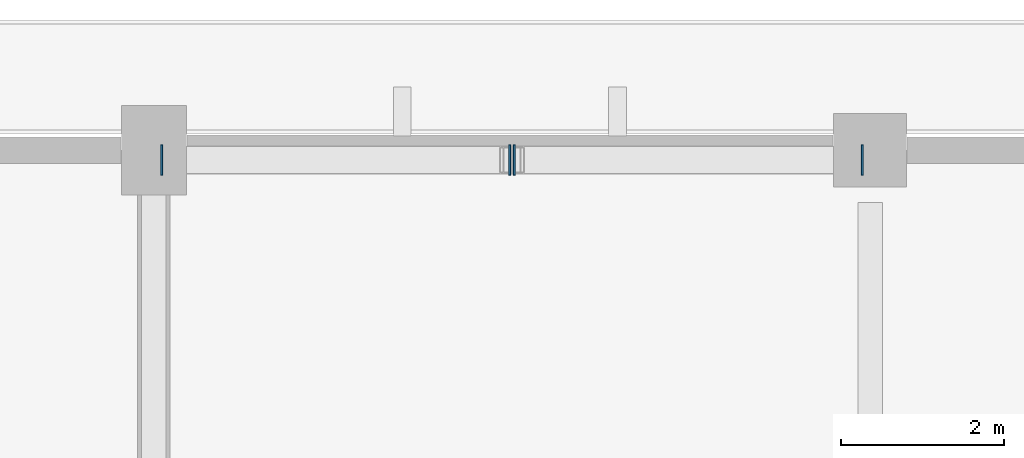
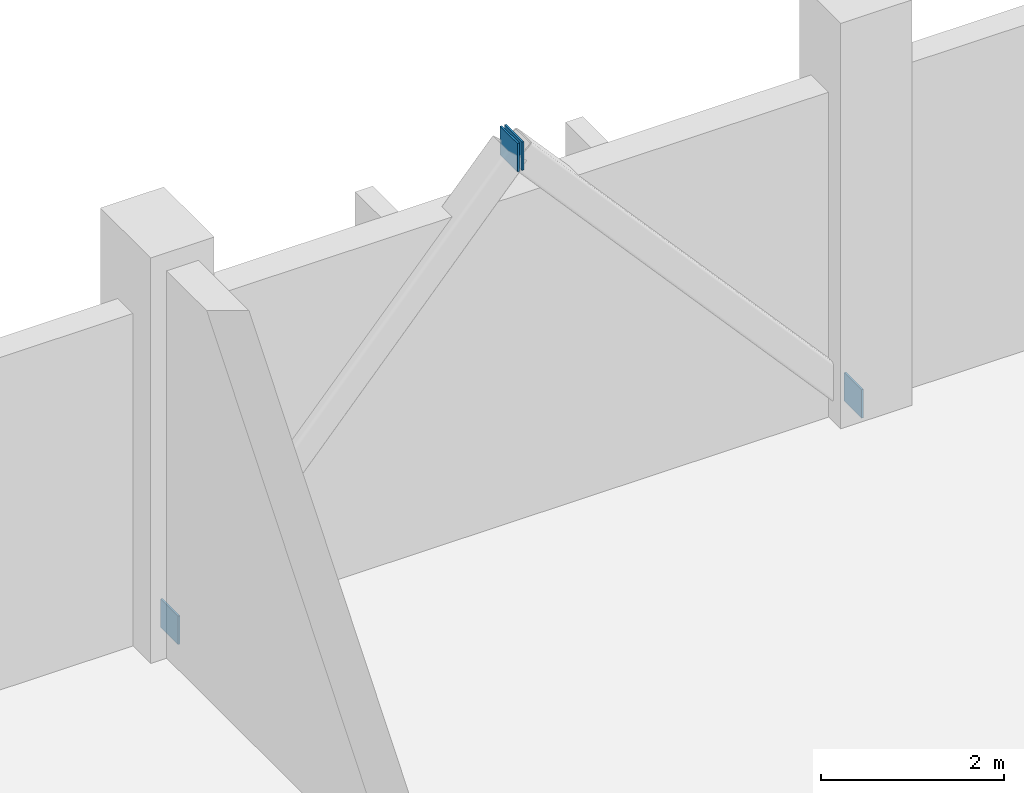
# One storey, part 70 of 95: 4 plates.
"""IFC4 building model written with IfcOpenShell, lengths in metres."""

import ifcopenshell
import ifcopenshell.guid

model = None  # the IFC model being written
_history = None  # IfcOwnerHistory: only IFC2X3 demands one
_inside = {}  # id of a spatial element -> (the spatial element, [elements in it])
_under = {}  # id of a project, library or spatial element -> (it, [spatial elements below it])
_declared = {}  # id of a project -> (the project, [libraries it declares])
_typed = {}  # id of a type object -> (the type object, [elements of that type])
_made_of = {}  # id of a material, layer set ... -> (it, [elements and type objects made of it])


def new_model(schema):
    """Start an empty IFC model of exactly this schema.

    Asked for "IFC4X3", IfcOpenShell would pick the latest addendum, in which some entities
    have other attributes; the version numbers below select the first issue.
    IFC2X3 requires an IfcOwnerHistory on every rooted entity: one is made here for all.
    """
    global model, _history
    if schema == "IFC4X3":
        model = ifcopenshell.file(schema_version=(4, 3, 0, 0))
    else:
        model = ifcopenshell.file(schema=schema)
    _inside.clear()
    _under.clear()
    _declared.clear()
    _typed.clear()
    _made_of.clear()
    _history = None
    if model.schema == "IFC2X3":
        org = make("IfcOrganization", Name="unknown")
        user = make(
            "IfcPersonAndOrganization",
            ThePerson=make("IfcPerson", FamilyName="unknown"),
            TheOrganization=org,
        )
        app = make(
            "IfcApplication",
            ApplicationDeveloper=org,
            Version="unknown",
            ApplicationFullName="unknown",
            ApplicationIdentifier="unknown",
        )
        _history = make(
            "IfcOwnerHistory",
            OwningUser=user,
            OwningApplication=app,
            ChangeAction="ADDED",
            CreationDate=0,
        )
    return model


def make(cls, **values):
    """One entity of the class cls with the attributes given. An attribute that is None is left unset."""
    return model.create_entity(
        cls, **{name: value for name, value in values.items() if value is not None}
    )


def rooted(cls, **values):
    """An entity with a GlobalId (a new one), such as an element, a storey or a relation."""
    return make(cls, GlobalId=ifcopenshell.guid.new(), OwnerHistory=_history, **values)


def si_unit(unit_type, name, prefix=None):
    """IfcSIUnit, for example si_unit("LENGTHUNIT", "METRE", prefix="MILLI")."""
    return make("IfcSIUnit", UnitType=unit_type, Prefix=prefix, Name=name)


def assignment(units):
    """IfcUnitAssignment: the units of a project."""
    return None if units is None else make("IfcUnitAssignment", Units=units)


def point(xyz):
    """IfcCartesianPoint."""
    return None if xyz is None else make("IfcCartesianPoint", Coordinates=xyz)


def direction(xyz):
    """IfcDirection."""
    return None if xyz is None else make("IfcDirection", DirectionRatios=xyz)


def frame(location, z_axis=None, x_axis=None):
    """IfcAxis2Placement3D, a coordinate frame: its origin and axes. An axis left out is left unset."""
    return make(
        "IfcAxis2Placement3D",
        Location=point(location),
        Axis=direction(z_axis),
        RefDirection=direction(x_axis),
    )


def frame_2d(location, x_axis=None):
    """IfcAxis2Placement2D, a coordinate frame in the plane: its origin and x axis."""
    return make(
        "IfcAxis2Placement2D", Location=point(location), RefDirection=direction(x_axis)
    )


def origin():
    """The frame at (0, 0, 0) with its axes left unset."""
    return frame((0.0, 0.0, 0.0))


def origin_2d():
    """The frame at (0, 0) in the plane with its x axis left unset."""
    return frame_2d((0.0, 0.0))


def place(relative_to, where):
    """IfcLocalPlacement: puts the frame where relative to a parent placement (None: the world)."""
    return make(
        "IfcLocalPlacement", PlacementRelTo=relative_to, RelativePlacement=where
    )


def context(
    kind, dimensions, precision=None, world=None, true_north=None, identifier=None
):
    """IfcGeometricRepresentationContext, for example the 3D "Model" context."""
    return make(
        "IfcGeometricRepresentationContext",
        ContextIdentifier=identifier,
        ContextType=kind,
        CoordinateSpaceDimension=dimensions,
        Precision=precision,
        WorldCoordinateSystem=world,
        TrueNorth=true_north,
    )


def subcontext(parent, identifier, kind, view, scale=None):
    """IfcGeometricRepresentationSubContext, for example "Body" below "Model"."""
    return make(
        "IfcGeometricRepresentationSubContext",
        ContextIdentifier=identifier,
        ContextType=kind,
        ParentContext=parent,
        TargetScale=scale,
        TargetView=view,
    )


def project(units=None, contexts=None):
    """IfcProject with its units and contexts."""
    return rooted(
        "IfcProject",
        Name="project",
        RepresentationContexts=contexts,
        UnitsInContext=assignment(units),
    )


def spatial(cls, under=None, at=None, **own):
    """A site, building, storey or space (cls), placed at a placement, below another one or the project."""
    s = rooted(cls, ObjectPlacement=at, **own)
    if under is not None:
        _under.setdefault(under.id(), (under, []))[1].append(s)
    return s


def profile(cls, at=None, kind="AREA", **sizes):
    """A parametric profile (cls). Its sizes go by their IFC names, for example OverallWidth=200.0."""
    return make(cls, ProfileType=kind, Position=at, **sizes)


def rectangle(**sizes):
    """IfcRectangleProfileDef."""
    return profile("IfcRectangleProfileDef", **sizes)


def extrude(swept, where, along, depth):
    """IfcExtrudedAreaSolid: the profile swept, set in the frame where, extruded along a direction by depth."""
    return make(
        "IfcExtrudedAreaSolid",
        SweptArea=swept,
        Position=where,
        ExtrudedDirection=direction(along),
        Depth=depth,
    )


def shape(context_of_items, identifier, shape_type, items):
    """IfcShapeRepresentation: the items that make up one representation, for example the "Body"."""
    return make(
        "IfcShapeRepresentation",
        ContextOfItems=context_of_items,
        RepresentationIdentifier=identifier,
        RepresentationType=shape_type,
        Items=items,
    )


def material(Name=None, Category=None):
    """IfcMaterial."""
    return make("IfcMaterial", Name=Name, Category=Category)


def layer(
    of_material, thickness, ventilated=None, Name=None, Category=None, Priority=None
):
    """IfcMaterialLayer: one layer of a wall or slab, of a material (None: an air gap)."""
    return make(
        "IfcMaterialLayer",
        Material=of_material,
        LayerThickness=thickness,
        IsVentilated=ventilated,
        Name=Name,
        Category=Category,
        Priority=Priority,
    )


def layer_set(layers, Name=None):
    """IfcMaterialLayerSet."""
    return make("IfcMaterialLayerSet", MaterialLayers=layers, LayerSetName=Name)


def made_of(thing, what):
    """Note that an element or type object is made of a material, layer set ...; save() writes the relation."""
    if what is not None:
        _made_of.setdefault(what.id(), (what, []))[1].append(thing)
    return thing


def type_object(cls, material=None, **own):
    """A type object (cls), such as IfcWallType, which elements share."""
    return made_of(rooted(cls, **own), material)


def element(
    cls,
    number,
    at=None,
    inside=None,
    cuts=None,
    type_object=None,
    material=None,
    context=None,
    identifier="Body",
    shape_type=None,
    held_by="IfcProductDefinitionShape",
    body=None,
    shapes=None,
    **own,
):
    """One element of the class cls, such as IfcWall. Its Tag is "e" and its number.

    at: its placement. inside: the storey or other place that contains it. cuts: it is an
    opening in that element (IfcRelVoidsElement). A single representation is given by context,
    identifier, shape_type and body (its items); several are given by shapes. held_by: the class
    of the entity that holds the representations. save() writes the other relations.
    """
    e = rooted(cls, Tag="e%d" % number, ObjectPlacement=at, **own)
    if body is not None:
        shapes = [shape(context, identifier, shape_type, body)]
    if shapes is not None:
        e.Representation = make(held_by, Representations=shapes)
    if inside is not None:
        _inside.setdefault(inside.id(), (inside, []))[1].append(e)
    if cuts is not None:
        rooted(
            "IfcRelVoidsElement", RelatingBuildingElement=cuts, RelatedOpeningElement=e
        )
    if type_object is not None:
        _typed.setdefault(type_object.id(), (type_object, []))[1].append(e)
    return made_of(e, material)


def aggregate(whole, parts):
    """IfcRelAggregates: a whole, such as a stair, and the parts it consists of."""
    return rooted("IfcRelAggregates", RelatingObject=whole, RelatedObjects=parts)


def save(model, path):
    """Write the relations noted so far, then the file.

    IfcRelAggregates (storeys below a building ...), IfcRelContainedInSpatialStructure (elements
    in a storey), IfcRelDefinesByType, IfcRelAssociatesMaterial and IfcRelDeclares: one each for
    every whole, place, type object, material and project.
    """
    for whole, parts in _under.values():
        aggregate(whole, parts)
    for where, things in _inside.values():
        rooted(
            "IfcRelContainedInSpatialStructure",
            RelatedElements=things,
            RelatingStructure=where,
        )
    for kind, things in _typed.values():
        rooted("IfcRelDefinesByType", RelatedObjects=things, RelatingType=kind)
    for what, things in _made_of.values():
        rooted("IfcRelAssociatesMaterial", RelatedObjects=things, RelatingMaterial=what)
    for by, libraries in _declared.values():
        rooted("IfcRelDeclares", RelatingContext=by, RelatedDefinitions=libraries)
    model.write(path)


model = new_model("IFC4")

# Units and contexts
model_context = context("Model", 3, precision=1e-05, world=origin(), true_north=direction((0.0, 1.0)))
body_context = subcontext(model_context, "Body", "Model", "MODEL_VIEW")
ifc_project = project(units=[si_unit("LENGTHUNIT", "METRE"), si_unit("AREAUNIT", "SQUARE_METRE"), si_unit("VOLUMEUNIT", "CUBIC_METRE"), si_unit("PLANEANGLEUNIT", "RADIAN"), si_unit("MASSUNIT", "GRAM", prefix="KILO")], contexts=[model_context])

# Site, building, storey
site_placement = place(None, origin())
site = spatial("IfcSite", under=ifc_project, at=site_placement, CompositionType="ELEMENT")
building_placement = place(site_placement, origin())
building = spatial("IfcBuilding", under=site, at=building_placement, Name="Shengluoqiao Park Theatre", CompositionType="ELEMENT")
storey_placement = place(building_placement, origin())
storey = spatial("IfcBuildingStorey", under=building, at=storey_placement, Name="L00", CompositionType="ELEMENT", Elevation=0.0)

# Plates
ifc_material = material(Name="Steel Q390", Category="steel")
ifc_layer = layer(ifc_material, 0.02392578125, Name="Steel Q390")
ifc_layer_set = layer_set([ifc_layer], Name="Steel Q390")
plate_type = type_object("IfcPlateType", Name="STR-PLT-EC-360", PredefinedType="SHEET", material=ifc_layer_set)
for number, where, z_axis, x_axis, name in (
    (1, (86.493896484375, 113.8798828125, -0.06494140625), (0.0, 0.0, 1.0), (1.0, 0.0, 0.0), "Hollow Tube End Cap Plate 00120"),
    (2, (90.77197265625, 113.8798828125, 4.7333984375), (0.0, 0.0, 1.0), (1.0, 0.0, 0.0), "Hollow Tube End Cap Plate 00121"),
    (3, (95.10595703125, 113.8798828125, -0.06494140625), (0.0, 0.0, 1.0), (-1.0, 0.0, 0.0), "Hollow Tube End Cap Plate 00122"),
    (4, (90.827880859375, 113.8798828125, 4.7333984375), (0.0, 0.0, 1.0), (-1.0, 0.0, 0.0), "Hollow Tube End Cap Plate 00123"),
):
    element("IfcPlate", number, at=place(storey_placement, frame(where, z_axis=z_axis, x_axis=x_axis)), inside=storey, type_object=plate_type, Name=name, PredefinedType="SHEET", context=body_context, shape_type="SweptSolid", body=[
        extrude(rectangle(XDim=0.02392578125, YDim=0.3798828125, at=origin_2d()), origin(), (0.0, 0.0, 1.0), 0.3798828125),
    ])

save(model, "model.ifc")
